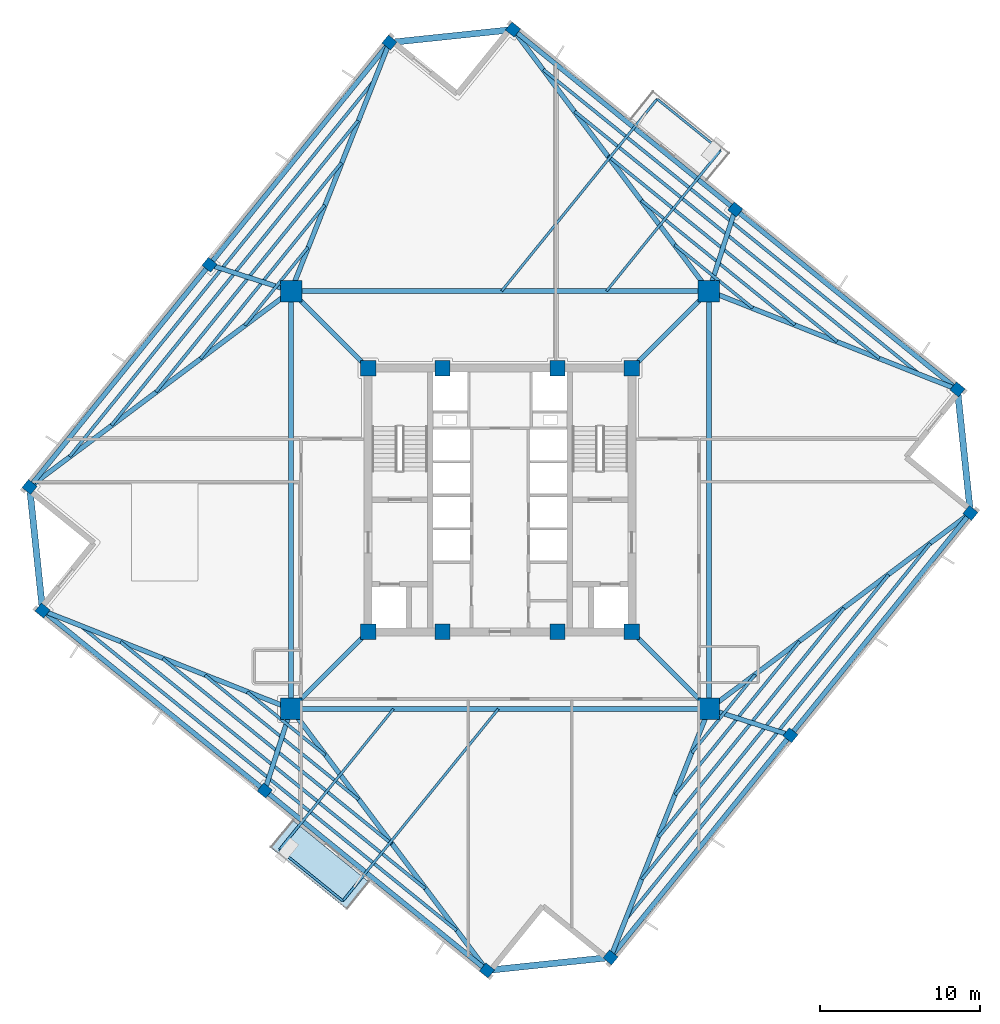
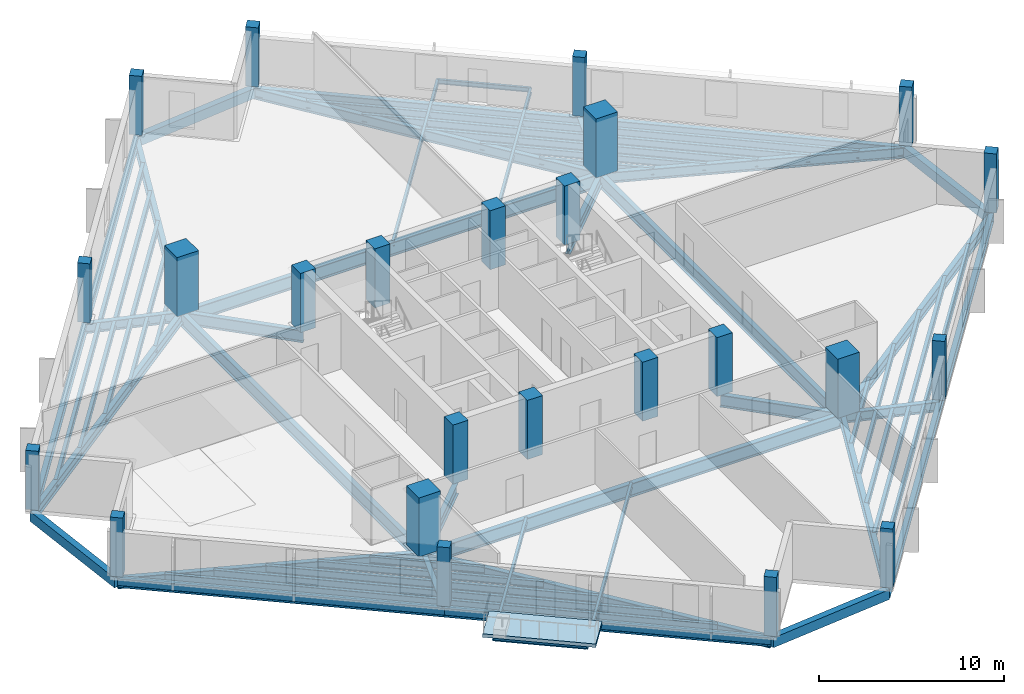
# One storey, part 1 of 10: 58 beams, 24 columns, 1 slab.
"""IFC4 building model written with IfcOpenShell, lengths in metres."""

from ifc_helpers import new_model, si_unit, direction, frame, origin, origin_2d, place, context, subcontext, project, spatial, polyline, rectangle, i_section, outline, extrude, source, transform, mapped, material, layer, layer_set, material_profile, profile_set, type_object, element, save


model = new_model("IFC4")

# Units and contexts
model_context = context("Model", 3, precision=1e-05, world=origin(), true_north=direction((0.0, 1.0)))
body_context = subcontext(model_context, "Body", "Model", "MODEL_VIEW")
ifc_project = project(units=[si_unit("LENGTHUNIT", "METRE"), si_unit("AREAUNIT", "SQUARE_METRE"), si_unit("VOLUMEUNIT", "CUBIC_METRE"), si_unit("PLANEANGLEUNIT", "RADIAN"), si_unit("MASSUNIT", "GRAM", prefix="KILO"), si_unit("THERMODYNAMICTEMPERATUREUNIT", "KELVIN")], contexts=[model_context])

# Site, building, storey
site_placement = place(None, origin())
site = spatial("IfcSite", under=ifc_project, at=site_placement, CompositionType="ELEMENT")
building_placement = place(site_placement, origin())
building = spatial("IfcBuilding", under=site, at=building_placement, Name="Kosmvard Interchange Tower", CompositionType="ELEMENT")
storey_placement = place(building_placement, frame((0.0, 0.0, 229.0)))
storey = spatial("IfcBuildingStorey", under=building, at=storey_placement, Name="L55", CompositionType="ELEMENT", Elevation=229.0)

# Columns
ifc_material_1 = material(Name="Concrete C60/75", Category="concrete")
ifc_material_profile_1 = material_profile(ifc_material_1, rectangle(XDim=0.949951171875, YDim=0.949951171875, at=origin_2d()), Name="CP 950x950")
ifc_profile_set_1 = profile_set([ifc_material_profile_1], Name="Concrete C60/75")
column_type_1 = type_object("IfcColumnType", Name="Core Boundary Pilaster 950x950 C60/75", PredefinedType="PILASTER", material=ifc_profile_set_1)
shared_shape_1 = source(origin(), body_context, "Body", "SweptSolid", [
    extrude(rectangle(XDim=0.949951171875, YDim=0.949951171875, at=origin_2d()), origin(), (0.0, 0.0, 1.0), 3.89990234375),
])
for number, where, z_axis, x_axis, name in (
    (1, (-8.25, -8.25, 0.0), (0.0, 0.0, 1.0), (1.0, 0.0, 0.0), "L55 Core Pilaster CP1"),
    (2, (8.25, -8.25, 0.0), (0.0, 0.0, 1.0), (1.0, 0.0, 0.0), "L55 Core Pilaster CP2"),
    (3, (8.25, 8.25, 0.0), (0.0, 0.0, 1.0), (1.0, 0.0, 0.0), "L55 Core Pilaster CP3"),
    (4, (-8.25, 8.25, 0.0), (0.0, 0.0, 1.0), (1.0, 0.0, 0.0), "L55 Core Pilaster CP4"),
    (5, (-3.60009765625, -8.25, 0.0), (0.0, 0.0, 1.0), (1.0, 0.0, 0.0), "L55 Core Pilaster CP5"),
    (6, (3.60009765625, -8.25, 0.0), (0.0, 0.0, 1.0), (1.0, 0.0, 0.0), "L55 Core Pilaster CP6"),
    (7, (-3.60009765625, 8.25, 0.0), (0.0, 0.0, 1.0), (1.0, 0.0, 0.0), "L55 Core Pilaster CP7"),
    (8, (3.60009765625, 8.25, 0.0), (0.0, 0.0, 1.0), (1.0, 0.0, 0.0), "L55 Core Pilaster CP8"),
):
    element("IfcColumn", number, at=place(storey_placement, frame(where, z_axis=z_axis, x_axis=x_axis)), inside=storey, type_object=column_type_1, Name=name, PredefinedType="PILASTER", context=body_context, shape_type="MappedRepresentation", body=[
        mapped(shared_shape_1, transform((0.0, 0.0, 0.0), scale=1.0)),
    ])
ifc_material_profile_2 = material_profile(ifc_material_1, rectangle(XDim=1.35009765625, YDim=1.35009765625, at=origin_2d()), Name="MC 1350x1350")
ifc_profile_set_2 = profile_set([ifc_material_profile_2], Name="Concrete C60/75")
column_type_2 = type_object("IfcColumnType", Name="Composite Mega-Column 1350x1350 C60/75", PredefinedType="COLUMN", material=ifc_profile_set_2)
shared_shape_2 = source(origin(), body_context, "Body", "SweptSolid", [
    extrude(rectangle(XDim=1.35009765625, YDim=1.35009765625, at=origin_2d()), origin(), (0.0, 0.0, 1.0), 3.89990234375),
])
for number, where, z_axis, x_axis, name in (
    (9, (-13.0810546875, -13.0810546875, 0.0), (0.0, 0.0, 1.0), (1.0, 0.0, 0.0), "L55 Corner Mega-Column MC1"),
    (10, (13.0810546875, -13.0810546875, 0.0), (0.0, 0.0, 1.0), (1.0, 0.0, 0.0), "L55 Corner Mega-Column MC2"),
    (11, (13.0810546875, 13.0810546875, 0.0), (0.0, 0.0, 1.0), (1.0, 0.0, 0.0), "L55 Corner Mega-Column MC3"),
    (12, (-13.0810546875, 13.0810546875, 0.0), (0.0, 0.0, 1.0), (1.0, 0.0, 0.0), "L55 Corner Mega-Column MC4"),
):
    element("IfcColumn", number, at=place(storey_placement, frame(where, z_axis=z_axis, x_axis=x_axis)), inside=storey, type_object=column_type_2, Name=name, PredefinedType="COLUMN", context=body_context, shape_type="MappedRepresentation", body=[
        mapped(shared_shape_2, transform((0.0, 0.0, 0.0), scale=1.0)),
    ])
ifc_material_2 = material(Name="Concrete C50/60", Category="concrete")
ifc_material_profile_3 = material_profile(ifc_material_2, rectangle(XDim=0.64990234375, YDim=0.699951171875, at=origin_2d()), Name="TC 700x650")
ifc_profile_set_3 = profile_set([ifc_material_profile_3], Name="Concrete C50/60")
column_type_3 = type_object("IfcColumnType", Name="Zone 4 Perimeter Pier Column 700x650 C50/60", PredefinedType="COLUMN", material=ifc_profile_set_3)
shared_shape_3 = source(origin(), body_context, "Body", "SweptSolid", [
    extrude(rectangle(XDim=0.64990234375, YDim=0.699951171875, at=origin_2d()), origin(), (0.0, 0.0, 1.0), 3.89990234375),
])
for number, where, z_axis, x_axis, name in (
    (13, (6.92041015625, -28.636962890625, 0.0), (0.0, 0.0, 1.0), (0.62932039105, 0.777145961457, 0.0), "L55 Perimeter Pier Column TC-S1"),
    (14, (18.185302734375, -14.72607421875, 0.0), (0.0, 0.0, 1.0), (0.62932039105, 0.777145961457, 0.0), "L55 Perimeter Pier Column TC-S2"),
    (15, (29.449951171875, -0.815185546875, 0.0), (0.0, 0.0, 1.0), (0.62932039105, 0.777145961457, 0.0), "L55 Perimeter Pier Column TC-S3"),
    (16, (28.636962890625, 6.92041015625, 0.0), (0.0, 0.0, 1.0), (0.62932039105, 0.777145961457, 0.0), "L55 Perimeter Pier Column TC-E1"),
    (17, (14.72607421875, 18.185302734375, 0.0), (0.0, 0.0, 1.0), (0.62932039105, 0.777145961457, 0.0), "L55 Perimeter Pier Column TC-E2"),
    (18, (0.815185546875, 29.449951171875, 0.0), (0.0, 0.0, 1.0), (0.62932039105, 0.777145961457, 0.0), "L55 Perimeter Pier Column TC-E3"),
    (19, (-6.92041015625, 28.636962890625, 0.0), (0.0, 0.0, 1.0), (0.62932039105, 0.777145961457, 0.0), "L55 Perimeter Pier Column TC-N1"),
    (20, (-18.185302734375, 14.72607421875, 0.0), (0.0, 0.0, 1.0), (0.62932039105, 0.777145961457, 0.0), "L55 Perimeter Pier Column TC-N2"),
    (21, (-29.449951171875, 0.815185546875, 0.0), (0.0, 0.0, 1.0), (0.62932039105, 0.777145961457, 0.0), "L55 Perimeter Pier Column TC-N3"),
    (22, (-28.636962890625, -6.92041015625, 0.0), (0.0, 0.0, 1.0), (0.62932039105, 0.777145961457, 0.0), "L55 Perimeter Pier Column TC-W1"),
    (23, (-14.72607421875, -18.185302734375, 0.0), (0.0, 0.0, 1.0), (0.62932039105, 0.777145961457, 0.0), "L55 Perimeter Pier Column TC-W2"),
    (24, (-0.815185546875, -29.449951171875, 0.0), (0.0, 0.0, 1.0), (0.62932039105, 0.777145961457, 0.0), "L55 Perimeter Pier Column TC-W3"),
):
    element("IfcColumn", number, at=place(storey_placement, frame(where, z_axis=z_axis, x_axis=x_axis)), inside=storey, type_object=column_type_3, Name=name, PredefinedType="COLUMN", context=body_context, shape_type="MappedRepresentation", body=[
        mapped(shared_shape_3, transform((0.0, 0.0, 0.0), scale=1.0)),
    ])

# Beams
ifc_material_3 = material(Name="Steel S355", Category="steel")
ifc_material_profile_4 = material_profile(ifc_material_3, i_section(OverallWidth=0.14990234375, OverallDepth=0.300048828125, WebThickness=0.007080078125, FlangeThickness=0.0107421875, FilletRadius=0.014892578125, at=origin_2d()), Name="IPE 300")
ifc_profile_set_4 = profile_set([ifc_material_profile_4], Name="Steel S355")
beam_type_1 = type_object("IfcBeamType", Name="Balcony Edge Header Joist IPE 300 S355", PredefinedType="JOIST", material=ifc_profile_set_4)
shared_shape_4 = source(origin(), body_context, "Body", "SweptSolid", [
    extrude(i_section(OverallWidth=0.14990234375, OverallDepth=0.300048828125, WebThickness=0.007080078125, FlangeThickness=0.0107421875, FilletRadius=0.014892578125, at=origin_2d()), origin(), (0.0, 0.0, 1.0), 5.099853515625),
])
for number, where, z_axis, x_axis, name in (
    (25, (13.80322265625, 21.89208984375, -0.389892578125), (-0.777146757369, 0.629319408179, 0.0), (-0.629319408179, -0.777146757369, 0.0), "BM-L55-BJH1"),
    (26, (-13.80322265625, -21.89208984375, -0.389892578125), (0.777146757369, -0.629319408179, 0.0), (0.629319408179, 0.777146757369, 0.0), "BM-L55-BJH2"),
):
    element("IfcBeam", number, at=place(storey_placement, frame(where, z_axis=z_axis, x_axis=x_axis)), inside=storey, type_object=beam_type_1, Name=name, PredefinedType="JOIST", context=body_context, shape_type="MappedRepresentation", body=[
        mapped(shared_shape_4, transform((0.0, 0.0, 0.0), scale=1.0)),
    ])
ifc_material_profile_5 = material_profile(ifc_material_3, i_section(OverallWidth=0.300048828125, OverallDepth=0.800048828125, WebThickness=0.017578125, FlangeThickness=0.032958984375, FilletRadius=0.027099609375, at=origin_2d()), Name="HEB 800")
ifc_profile_set_5 = profile_set([ifc_material_profile_5], Name="Steel S355")
beam_type_2 = type_object("IfcBeamType", Name="Primary Mega-Frame Girder HEB 800 S355", PredefinedType="BEAM", material=ifc_profile_set_5)
shared_shape_5 = source(origin(), body_context, "Body", "SweptSolid", [
    extrude(i_section(OverallWidth=0.300048828125, OverallDepth=0.800048828125, WebThickness=0.017578125, FlangeThickness=0.032958984375, FilletRadius=0.027099609375, at=origin_2d()), origin(), (0.0, 0.0, 1.0), 6.83203125),
])
for number, where, z_axis, x_axis, name in (
    (27, (-8.25, -8.25, -0.639892578125), (-0.707106781187, -0.707106781187, 0.0), (0.707106781187, -0.707106781187, 0.0), "L55 Radial Mega-Frame Girder 1"),
    (28, (8.25, -8.25, -0.639892578125), (0.707106781187, -0.707106781187, 0.0), (0.707106781187, 0.707106781187, 0.0), "L55 Radial Mega-Frame Girder 2"),
    (29, (8.25, 8.25, -0.639892578125), (0.707106781187, 0.707106781187, 0.0), (-0.707106781187, 0.707106781187, 0.0), "L55 Radial Mega-Frame Girder 3"),
    (30, (-8.25, 8.25, -0.639892578125), (-0.707106781187, 0.707106781187, 0.0), (-0.707106781187, -0.707106781187, 0.0), "L55 Radial Mega-Frame Girder 4"),
):
    element("IfcBeam", number, at=place(storey_placement, frame(where, z_axis=z_axis, x_axis=x_axis)), inside=storey, type_object=beam_type_2, Name=name, PredefinedType="BEAM", context=body_context, shape_type="MappedRepresentation", body=[
        mapped(shared_shape_5, transform((0.0, 0.0, 0.0), scale=1.0)),
    ])
ifc_material_profile_6 = material_profile(ifc_material_3, i_section(OverallWidth=0.300048828125, OverallDepth=0.89990234375, WebThickness=0.0185546875, FlangeThickness=0.034912109375, FilletRadius=0.030029296875, at=origin_2d()), Name="HEB 900")
ifc_profile_set_6 = profile_set([ifc_material_profile_6], Name="Steel S355")
beam_type_3 = type_object("IfcBeamType", Name="Mega-Column Ring Girder HEB 900 S355", PredefinedType="BEAM", material=ifc_profile_set_6)
shared_shape_6 = source(origin(), body_context, "Body", "SweptSolid", [
    extrude(i_section(OverallWidth=0.300048828125, OverallDepth=0.89990234375, WebThickness=0.0185546875, FlangeThickness=0.034912109375, FilletRadius=0.030029296875, at=origin_2d()), origin(), (0.0, 0.0, 1.0), 26.162109375),
])
for number, where, z_axis, x_axis, name in (
    (31, (-13.0810546875, -13.0810546875, -0.68994140625), (1.0, 0.0, 0.0), (0.0, 1.0, 0.0), "L55 Mega-Column Ring Girder 1"),
    (32, (13.0810546875, -13.0810546875, -0.68994140625), (0.0, 1.0, 0.0), (-1.0, 0.0, 0.0), "L55 Mega-Column Ring Girder 2"),
    (33, (13.0810546875, 13.0810546875, -0.68994140625), (-1.0, 0.0, 0.0), (0.0, -1.0, 0.0), "L55 Mega-Column Ring Girder 3"),
    (34, (-13.0810546875, 13.0810546875, -0.68994140625), (0.0, -1.0, 0.0), (1.0, 0.0, 0.0), "L55 Mega-Column Ring Girder 4"),
):
    element("IfcBeam", number, at=place(storey_placement, frame(where, z_axis=z_axis, x_axis=x_axis)), inside=storey, type_object=beam_type_3, Name=name, PredefinedType="BEAM", context=body_context, shape_type="MappedRepresentation", body=[
        mapped(shared_shape_6, transform((0.0, 0.0, 0.0), scale=1.0)),
    ])
ifc_material_profile_7 = material_profile(ifc_material_3, i_section(OverallWidth=0.300048828125, OverallDepth=0.60009765625, WebThickness=0.015380859375, FlangeThickness=0.030029296875, FilletRadius=0.027099609375, at=origin_2d()), Name="HEB 600")
ifc_profile_set_7 = profile_set([ifc_material_profile_7], Name="Steel S355")
beam_type_4 = type_object("IfcBeamType", Name="Perimeter Tie Girder HEB 600 S355", PredefinedType="BEAM", material=ifc_profile_set_7)
shared_shape_7 = source(origin(), body_context, "Body", "SweptSolid", [
    extrude(i_section(OverallWidth=0.300048828125, OverallDepth=0.60009765625, WebThickness=0.015380859375, FlangeThickness=0.030029296875, FilletRadius=0.027099609375, at=origin_2d()), origin(), (0.0, 0.0, 1.0), 17.89990234375),
])
for number, where, z_axis, x_axis, name in (
    (35, (6.92041015625, -28.636962890625, -0.5400390625), (0.629322990554, 0.777143856413, 0.0), (-0.777143856413, 0.629322990554, 0.0), "BM-L55-PR01"),
    (36, (18.185302734375, -14.72607421875, -0.5400390625), (0.629314753061, 0.777150526976, 0.0), (-0.777150526976, 0.629314753061, 0.0), "BM-L55-PR02"),
    (37, (28.636962890625, 6.92041015625, -0.5400390625), (-0.777143856413, 0.629322990554, 0.0), (-0.629322990554, -0.777143856413, 0.0), "BM-L55-PR04"),
    (38, (14.72607421875, 18.185302734375, -0.5400390625), (-0.777150526976, 0.629314753061, 0.0), (-0.629314753061, -0.777150526976, 0.0), "BM-L55-PR05"),
    (39, (-6.92041015625, 28.636962890625, -0.5400390625), (-0.629322990554, -0.777143856413, 0.0), (0.777143856413, -0.629322990554, 0.0), "BM-L55-PR07"),
    (40, (-18.185302734375, 14.72607421875, -0.5400390625), (-0.629314753061, -0.777150526976, 0.0), (0.777150526976, -0.629314753061, 0.0), "BM-L55-PR08"),
    (41, (-28.636962890625, -6.92041015625, -0.5400390625), (0.777143856413, -0.629322990554, 0.0), (0.629322990554, 0.777143856413, 0.0), "BM-L55-PR10"),
    (42, (-14.72607421875, -18.185302734375, -0.5400390625), (0.777150526976, -0.629314753061, 0.0), (0.629314753061, 0.777150526976, 0.0), "BM-L55-PR11"),
):
    element("IfcBeam", number, at=place(storey_placement, frame(where, z_axis=z_axis, x_axis=x_axis)), inside=storey, type_object=beam_type_4, Name=name, PredefinedType="BEAM", context=body_context, shape_type="MappedRepresentation", body=[
        mapped(shared_shape_7, transform((0.0, 0.0, 0.0), scale=1.0)),
    ])
ifc_material_profile_8 = material_profile(ifc_material_3, i_section(OverallWidth=0.300048828125, OverallDepth=0.699951171875, WebThickness=0.01708984375, FlangeThickness=0.031982421875, FilletRadius=0.027099609375, at=origin_2d()), Name="HEB 700")
ifc_profile_set_8 = profile_set([ifc_material_profile_8], Name="Steel S355")
beam_type_5 = type_object("IfcBeamType", Name="Primary Floor Girder HEB 700 S355", PredefinedType="BEAM", material=ifc_profile_set_8)
shared_shape_8 = source(origin(), body_context, "Body", "SweptSolid", [
    extrude(i_section(OverallWidth=0.300048828125, OverallDepth=0.699951171875, WebThickness=0.01708984375, FlangeThickness=0.031982421875, FilletRadius=0.027099609375, at=origin_2d()), origin(), (0.0, 0.0, 1.0), 16.7314453125),
])
for number, where, z_axis, x_axis, name in (
    (43, (13.0810546875, -13.0810546875, -0.590087890625), (-0.368208500474, -0.929743244223, 0.0), (0.929743244223, -0.368208500474, 0.0), "BM-L55-RD01"),
    (44, (13.0810546875, 13.0810546875, -0.590087890625), (0.929743244223, -0.368208500474, 0.0), (0.368208500474, 0.929743244223, 0.0), "BM-L55-RD04"),
    (45, (-13.0810546875, 13.0810546875, -0.590087890625), (0.368208500474, 0.929743244223, 0.0), (-0.929743244223, 0.368208500474, 0.0), "BM-L55-RD07"),
    (46, (-13.0810546875, -13.0810546875, -0.590087890625), (-0.929743244223, 0.368208500474, 0.0), (-0.368208500474, -0.929743244223, 0.0), "BM-L55-RD10"),
):
    element("IfcBeam", number, at=place(storey_placement, frame(where, z_axis=z_axis, x_axis=x_axis)), inside=storey, type_object=beam_type_5, Name=name, PredefinedType="BEAM", context=body_context, shape_type="MappedRepresentation", body=[
        mapped(shared_shape_8, transform((0.0, 0.0, 0.0), scale=1.0)),
    ])
ifc_material_profile_9 = material_profile(ifc_material_3, i_section(OverallWidth=0.300048828125, OverallDepth=0.64990234375, WebThickness=0.01611328125, FlangeThickness=0.031005859375, FilletRadius=0.027099609375, at=origin_2d()), Name="HEB 650")
ifc_profile_set_9 = profile_set([ifc_material_profile_9], Name="Steel S355")
beam_type_6 = type_object("IfcBeamType", Name="Primary Floor Girder HEB 650 S355", PredefinedType="BEAM", material=ifc_profile_set_9)
shared_shape_9 = source(origin(), body_context, "Body", "SweptSolid", [
    extrude(i_section(OverallWidth=0.300048828125, OverallDepth=0.64990234375, WebThickness=0.01611328125, FlangeThickness=0.031005859375, FilletRadius=0.027099609375, at=origin_2d()), origin(), (0.0, 0.0, 1.0), 5.36279296875),
])
for number, where, z_axis, x_axis, name in (
    (47, (13.0810546875, -13.0810546875, -0.56494140625), (0.951790966135, -0.306747382686, 0.0), (0.306747382686, 0.951790966135, 0.0), "BM-L55-RD02"),
    (48, (13.0810546875, 13.0810546875, -0.56494140625), (0.306747382686, 0.951790966135, 0.0), (-0.951790966135, 0.306747382686, 0.0), "BM-L55-RD05"),
    (49, (-13.0810546875, 13.0810546875, -0.56494140625), (-0.951790966135, 0.306747382686, 0.0), (-0.306747382686, -0.951790966135, 0.0), "BM-L55-RD08"),
    (50, (-13.0810546875, -13.0810546875, -0.56494140625), (-0.306747382686, -0.951790966135, 0.0), (0.951790966135, -0.306747382686, 0.0), "BM-L55-RD11"),
):
    element("IfcBeam", number, at=place(storey_placement, frame(where, z_axis=z_axis, x_axis=x_axis)), inside=storey, type_object=beam_type_6, Name=name, PredefinedType="BEAM", context=body_context, shape_type="MappedRepresentation", body=[
        mapped(shared_shape_9, transform((0.0, 0.0, 0.0), scale=1.0)),
    ])
ifc_material_4 = material(Name="Precast concrete C45/55", Category="concrete")
ifc_material_profile_10 = material_profile(ifc_material_4, rectangle(XDim=0.39990234375, YDim=0.64990234375, at=origin_2d()), Name="SL 400x650")
ifc_profile_set_10 = profile_set([ifc_material_profile_10], Name="Precast concrete C45/55")
beam_type_7 = type_object("IfcBeamType", Name="Precast Spandrel Lintel 400x650 C45/55", PredefinedType="LINTEL", material=ifc_profile_set_10)
shared_shape_10 = source(origin(), body_context, "Body", "SweptSolid", [
    extrude(rectangle(XDim=0.39990234375, YDim=0.64990234375, at=origin_2d()), origin(), (0.0, 0.0, 1.0), 7.7783203125),
])
for number, where, z_axis, x_axis, name in (
    (51, (29.449951171875, -0.815185546875, -0.56494140625), (-0.104521394525, 0.994522638298, 0.0), (-0.994522638298, -0.104521394525, 0.0), "BM-L55-SL1"),
    (52, (0.815185546875, 29.449951171875, -0.56494140625), (-0.994522638298, -0.104521394525, 0.0), (0.104521394525, -0.994522638298, 0.0), "BM-L55-SL2"),
    (53, (-29.449951171875, 0.815185546875, -0.56494140625), (0.104521394525, -0.994522638298, 0.0), (0.994522638298, 0.104521394525, 0.0), "BM-L55-SL3"),
    (54, (-0.815185546875, -29.449951171875, -0.56494140625), (0.994522638298, 0.104521394525, 0.0), (-0.104521394525, 0.994522638298, 0.0), "BM-L55-SL4"),
):
    element("IfcBeam", number, at=place(storey_placement, frame(where, z_axis=z_axis, x_axis=x_axis)), inside=storey, type_object=beam_type_7, Name=name, PredefinedType="LINTEL", context=body_context, shape_type="MappedRepresentation", body=[
        mapped(shared_shape_10, transform((0.0, 0.0, 0.0), scale=1.0)),
    ])
shared_shape_11 = source(origin(), body_context, "Body", "SweptSolid", [
    extrude(i_section(OverallWidth=0.300048828125, OverallDepth=0.699951171875, WebThickness=0.01708984375, FlangeThickness=0.031982421875, FilletRadius=0.027099609375, at=origin_2d()), origin(), (0.0, 0.0, 1.0), 20.45458984375),
])
for number, where, z_axis, x_axis, name in (
    (55, (13.0810546875, -13.0810546875, -0.590087890625), (0.800253443036, 0.599661927179, 0.0), (-0.599661927179, 0.800253443036, 0.0), "BM-L55-RD03"),
    (56, (13.0810546875, 13.0810546875, -0.590087890625), (-0.599661927179, 0.800253443036, 0.0), (-0.800253443036, -0.599661927179, 0.0), "BM-L55-RD06"),
    (57, (-13.0810546875, 13.0810546875, -0.590087890625), (-0.800253443036, -0.599661927179, 0.0), (0.599661927179, -0.800253443036, 0.0), "BM-L55-RD09"),
    (58, (-13.0810546875, -13.0810546875, -0.590087890625), (0.599661927179, -0.800253443036, 0.0), (0.800253443036, 0.599661927179, 0.0), "BM-L55-RD12"),
):
    element("IfcBeam", number, at=place(storey_placement, frame(where, z_axis=z_axis, x_axis=x_axis)), inside=storey, type_object=beam_type_5, Name=name, PredefinedType="BEAM", context=body_context, shape_type="MappedRepresentation", body=[
        mapped(shared_shape_11, transform((0.0, 0.0, 0.0), scale=1.0)),
    ])
ifc_material_profile_11 = material_profile(ifc_material_3, i_section(OverallWidth=0.18994140625, OverallDepth=0.449951171875, WebThickness=0.009521484375, FlangeThickness=0.0146484375, FilletRadius=0.02099609375, at=origin_2d()), Name="IPE 450")
ifc_profile_set_11 = profile_set([ifc_material_profile_11], Name="Steel S355")
beam_type_8 = type_object("IfcBeamType", Name="Mid-Rise Floor Joist IPE 450 S355", PredefinedType="JOIST", material=ifc_profile_set_11)
shared_shape_12 = source(origin(), body_context, "Body", "SweptSolid", [
    extrude(i_section(OverallWidth=0.18994140625, OverallDepth=0.449951171875, WebThickness=0.009521484375, FlangeThickness=0.0146484375, FilletRadius=0.02099609375, at=origin_2d()), origin(), (0.0, 0.0, 1.0), 6.283935546875),
])
for number, where, z_axis, x_axis, name in (
    (59, (12.0224609375, -15.81884765625, -0.465087890625), (0.629317809561, 0.777148051898, 0.0), (-0.777148051898, 0.629317809561, 0.0), "BM-L55-FJ01"),
    (60, (15.81884765625, 12.0224609375, -0.465087890625), (-0.777148051898, 0.629317809561, 0.0), (-0.629317809561, -0.777148051898, 0.0), "BM-L55-FJ06"),
    (61, (-12.0224609375, 15.81884765625, -0.465087890625), (-0.629317809561, -0.777148051898, 0.0), (0.777148051898, -0.629317809561, 0.0), "BM-L55-FJ11"),
    (62, (-15.81884765625, -12.0224609375, -0.465087890625), (0.777148051898, -0.629317809561, 0.0), (0.629317809561, 0.777148051898, 0.0), "BM-L55-FJ16"),
):
    element("IfcBeam", number, at=place(storey_placement, frame(where, z_axis=z_axis, x_axis=x_axis)), inside=storey, type_object=beam_type_8, Name=name, PredefinedType="JOIST", context=body_context, shape_type="MappedRepresentation", body=[
        mapped(shared_shape_12, transform((0.0, 0.0, 0.0), scale=1.0)),
    ])
shared_shape_13 = source(origin(), body_context, "Body", "SweptSolid", [
    extrude(i_section(OverallWidth=0.18994140625, OverallDepth=0.449951171875, WebThickness=0.009521484375, FlangeThickness=0.0146484375, FilletRadius=0.02099609375, at=origin_2d()), origin(), (0.0, 0.0, 1.0), 12.369873046875),
])
for number, where, z_axis, x_axis, name in (
    (63, (10.97509765625, -18.46337890625, -0.465087890625), (0.629319722443, 0.777146502883, 0.0), (-0.777146502883, 0.629319722443, 0.0), "BM-L55-FJ02"),
    (64, (18.46337890625, 10.97509765625, -0.465087890625), (-0.777146502883, 0.629319722443, 0.0), (-0.629319722443, -0.777146502883, 0.0), "BM-L55-FJ07"),
    (65, (-10.97509765625, 18.46337890625, -0.465087890625), (-0.629319722443, -0.777146502883, 0.0), (0.777146502883, -0.629319722443, 0.0), "BM-L55-FJ12"),
    (66, (-18.46337890625, -10.97509765625, -0.465087890625), (0.777146502883, -0.629319722443, 0.0), (0.629319722443, 0.777146502883, 0.0), "BM-L55-FJ17"),
):
    element("IfcBeam", number, at=place(storey_placement, frame(where, z_axis=z_axis, x_axis=x_axis)), inside=storey, type_object=beam_type_8, Name=name, PredefinedType="JOIST", context=body_context, shape_type="MappedRepresentation", body=[
        mapped(shared_shape_13, transform((0.0, 0.0, 0.0), scale=1.0)),
    ])
ifc_material_profile_12 = material_profile(ifc_material_3, i_section(OverallWidth=0.199951171875, OverallDepth=0.5, WebThickness=0.01025390625, FlangeThickness=0.01611328125, FilletRadius=0.02099609375, at=origin_2d()), Name="IPE 500")
ifc_profile_set_12 = profile_set([ifc_material_profile_12], Name="Steel S355")
beam_type_9 = type_object("IfcBeamType", Name="Standard Floor Joist IPE 500 S355", PredefinedType="JOIST", material=ifc_profile_set_12)
shared_shape_14 = source(origin(), body_context, "Body", "SweptSolid", [
    extrude(i_section(OverallWidth=0.199951171875, OverallDepth=0.5, WebThickness=0.01025390625, FlangeThickness=0.01611328125, FilletRadius=0.02099609375, at=origin_2d()), origin(), (0.0, 0.0, 1.0), 18.4560546875),
])
for number, where, z_axis, x_axis, name in (
    (67, (9.927734375, -21.10791015625, -0.489990234375), (0.629320373744, 0.777145975471, 0.0), (-0.777145975471, 0.629320373744, 0.0), "BM-L55-FJ03"),
    (68, (21.10791015625, 9.927734375, -0.489990234375), (-0.777145975471, 0.629320373744, 0.0), (-0.629320373744, -0.777145975471, 0.0), "BM-L55-FJ08"),
    (69, (-9.927734375, 21.10791015625, -0.489990234375), (-0.629320373744, -0.777145975471, 0.0), (0.777145975471, -0.629320373744, 0.0), "BM-L55-FJ13"),
    (70, (-21.10791015625, -9.927734375, -0.489990234375), (0.777145975471, -0.629320373744, 0.0), (0.629320373744, 0.777145975471, 0.0), "BM-L55-FJ18"),
):
    element("IfcBeam", number, at=place(storey_placement, frame(where, z_axis=z_axis, x_axis=x_axis)), inside=storey, type_object=beam_type_9, Name=name, PredefinedType="JOIST", context=body_context, shape_type="MappedRepresentation", body=[
        mapped(shared_shape_14, transform((0.0, 0.0, 0.0), scale=1.0)),
    ])
shared_shape_15 = source(origin(), body_context, "Body", "SweptSolid", [
    extrude(i_section(OverallWidth=0.199951171875, OverallDepth=0.5, WebThickness=0.01025390625, FlangeThickness=0.01611328125, FilletRadius=0.02099609375, at=origin_2d()), origin(), (0.0, 0.0, 1.0), 24.5419921875),
])
for number, where, z_axis, x_axis, name in (
    (71, (8.880615234375, -23.75244140625, -0.489990234375), (0.629314693907, 0.777150574878, 0.0), (-0.777150574878, 0.629314693907, 0.0), "BM-L55-FJ04"),
    (72, (23.75244140625, 8.880615234375, -0.489990234375), (-0.777150574878, 0.629314693907, 0.0), (-0.629314693907, -0.777150574878, 0.0), "BM-L55-FJ09"),
    (73, (-8.880615234375, 23.75244140625, -0.489990234375), (-0.629314693907, -0.777150574878, 0.0), (0.777150574878, -0.629314693907, 0.0), "BM-L55-FJ14"),
    (74, (-23.75244140625, -8.880615234375, -0.489990234375), (0.777150574878, -0.629314693907, 0.0), (0.629314693907, 0.777150574878, 0.0), "BM-L55-FJ19"),
):
    element("IfcBeam", number, at=place(storey_placement, frame(where, z_axis=z_axis, x_axis=x_axis)), inside=storey, type_object=beam_type_9, Name=name, PredefinedType="JOIST", context=body_context, shape_type="MappedRepresentation", body=[
        mapped(shared_shape_15, transform((0.0, 0.0, 0.0), scale=1.0)),
    ])
shared_shape_16 = source(origin(), body_context, "Body", "SweptSolid", [
    extrude(i_section(OverallWidth=0.199951171875, OverallDepth=0.5, WebThickness=0.01025390625, FlangeThickness=0.01611328125, FilletRadius=0.02099609375, at=origin_2d()), origin(), (0.0, 0.0, 1.0), 30.27001953125),
])
for number, where, z_axis, x_axis, name in (
    (75, (7.894775390625, -26.241455078125, -0.489990234375), (0.629321655027, 0.777144937907, 0.0), (-0.777144937907, 0.629321655027, 0.0), "BM-L55-FJ05"),
    (76, (26.241455078125, 7.894775390625, -0.489990234375), (-0.777144937907, 0.629321655027, 0.0), (-0.629321655027, -0.777144937907, 0.0), "BM-L55-FJ10"),
    (77, (-7.894775390625, 26.241455078125, -0.489990234375), (-0.629321655027, -0.777144937907, 0.0), (0.777144937907, -0.629321655027, 0.0), "BM-L55-FJ15"),
    (78, (-26.241455078125, -7.894775390625, -0.489990234375), (0.777144937907, -0.629321655027, 0.0), (0.629321655027, 0.777144937907, 0.0), "BM-L55-FJ20"),
):
    element("IfcBeam", number, at=place(storey_placement, frame(where, z_axis=z_axis, x_axis=x_axis)), inside=storey, type_object=beam_type_9, Name=name, PredefinedType="JOIST", context=body_context, shape_type="MappedRepresentation", body=[
        mapped(shared_shape_16, transform((0.0, 0.0, 0.0), scale=1.0)),
    ])
ifc_material_profile_13 = material_profile(ifc_material_3, i_section(OverallWidth=0.159912109375, OverallDepth=0.330078125, WebThickness=0.007568359375, FlangeThickness=0.011474609375, FilletRadius=0.01806640625, at=origin_2d()), Name="IPE 330")
ifc_profile_set_13 = profile_set([ifc_material_profile_13], Name="Steel S355")
beam_type_10 = type_object("IfcBeamType", Name="Balcony Cantilever Joist IPE 330 S355", PredefinedType="JOIST", material=ifc_profile_set_13)
shared_shape_17 = source(origin(), body_context, "Body", "SweptSolid", [
    extrude(i_section(OverallWidth=0.159912109375, OverallDepth=0.330078125, WebThickness=0.007568359375, FlangeThickness=0.011474609375, FilletRadius=0.01806640625, at=origin_2d()), origin(), (0.0, 0.0, 1.0), 11.337646484375),
])
for number, where, z_axis, x_axis, name in (
    (79, (6.668212890625, 13.0810546875, -0.405029296875), (0.629319015631, 0.777147075247, 0.0), (-0.777147075247, 0.629319015631, 0.0), "BM-L55-BJ1"),
    (80, (-6.668212890625, -13.0810546875, -0.405029296875), (-0.629319015631, -0.777147075247, 0.0), (0.777147075247, -0.629319015631, 0.0), "BM-L55-BJ2"),
):
    element("IfcBeam", number, at=place(storey_placement, frame(where, z_axis=z_axis, x_axis=x_axis)), inside=storey, type_object=beam_type_10, Name=name, PredefinedType="JOIST", context=body_context, shape_type="MappedRepresentation", body=[
        mapped(shared_shape_17, transform((0.0, 0.0, 0.0), scale=1.0)),
    ])
shared_shape_18 = source(origin(), body_context, "Body", "SweptSolid", [
    extrude(i_section(OverallWidth=0.159912109375, OverallDepth=0.330078125, WebThickness=0.007568359375, FlangeThickness=0.011474609375, FilletRadius=0.01806640625, at=origin_2d()), origin(), (0.0, 0.0, 1.0), 15.467529296875),
])
for number, where, z_axis, x_axis, name in (
    (81, (0.105712890625, 13.0810546875, -0.405029296875), (0.629324903336, 0.777142307458, 0.0), (-0.777142307458, 0.629324903336, 0.0), "BM-L55-BJB1"),
    (82, (-0.105712890625, -13.0810546875, -0.405029296875), (-0.629324903336, -0.777142307458, 0.0), (0.777142307458, -0.629324903336, 0.0), "BM-L55-BJB2"),
):
    element("IfcBeam", number, at=place(storey_placement, frame(where, z_axis=z_axis, x_axis=x_axis)), inside=storey, type_object=beam_type_10, Name=name, PredefinedType="JOIST", context=body_context, shape_type="MappedRepresentation", body=[
        mapped(shared_shape_18, transform((0.0, 0.0, 0.0), scale=1.0)),
    ])

# Slab
ifc_layer = layer(ifc_material_2, 0.22998046875, Name="Concrete C50/60")
ifc_layer_set = layer_set([ifc_layer], Name="Concrete C50/60")
slab_type = type_object("IfcSlabType", Name="Tree-Planter Cantilever Balcony Slab 230 C50/60", PredefinedType="FLOOR", material=ifc_layer_set)
slab_placement = place(storey_placement, frame((0.0, 0.0, -0.22998046875)))
element("IfcSlab", 83, at=slab_placement, inside=storey, type_object=slab_type, Name="L55 Outdoor Terrace Balcony Slab BAL-L55-W", PredefinedType="FLOOR", context=body_context, shape_type="SweptSolid", body=[
    extrude(outline(polyline([(-9.569580078125, -25.64208984375), (-8.185302734375, -23.932373046875), (-13.00341796875, -20.030517578125), (-14.387939453125, -21.740234375), (-9.569580078125, -25.64208984375)])), origin(), (0.0, 0.0, 1.0), 0.22998046875),
])

save(model, "model.ifc")
